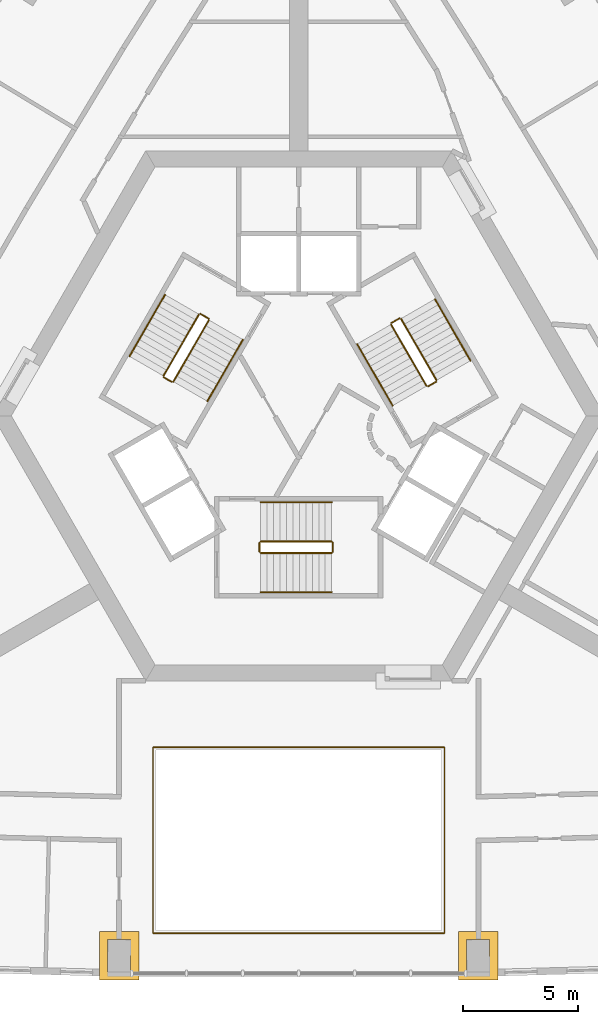
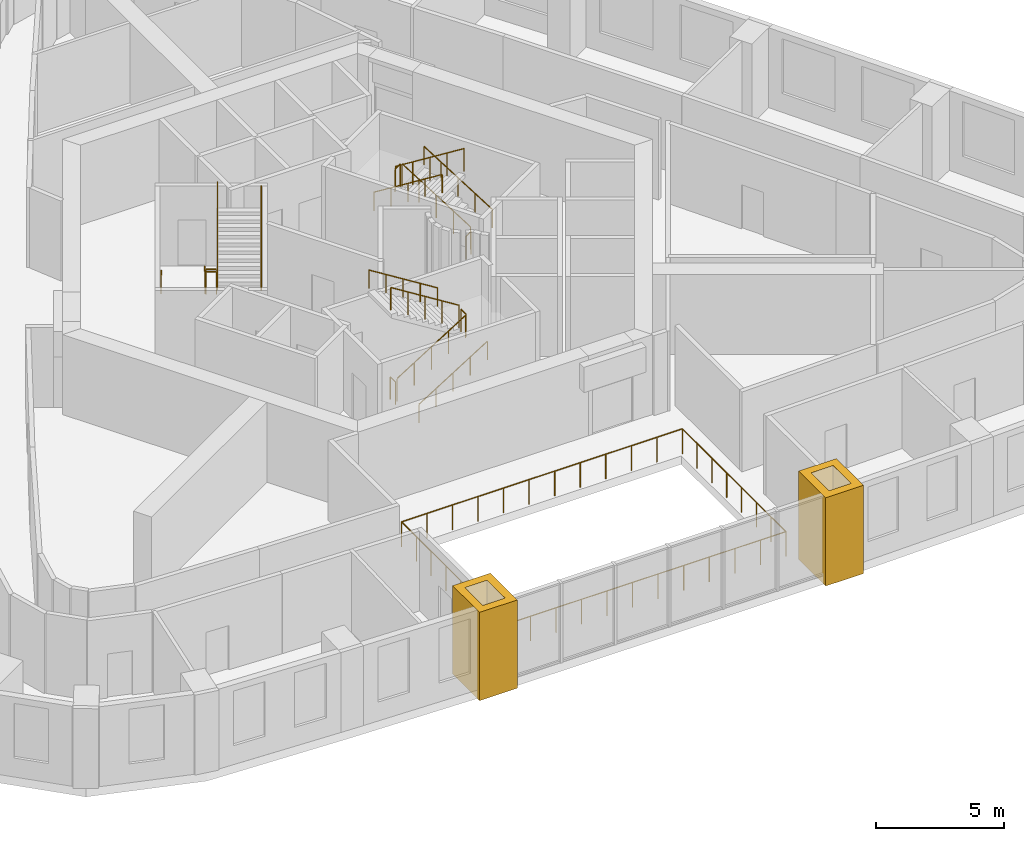
# One storey, part 11 of 11: 19 railings, 2 coverings.
"""IFC4 building model written with IfcOpenShell, lengths in metres."""

from ifc_helpers import new_model, si_unit, direction, frame, origin, origin_2d, place, context, subcontext, project, spatial, polyline, circle, outline, extrude, material, type_object, element, save


model = new_model("IFC4")

# Units and contexts
model_context = context("Model", 3, precision=1e-05, world=origin(), true_north=direction((0.0, 1.0)))
body_context = subcontext(model_context, "Body", "Model", "MODEL_VIEW")
ifc_project = project(units=[si_unit("LENGTHUNIT", "METRE"), si_unit("AREAUNIT", "SQUARE_METRE"), si_unit("VOLUMEUNIT", "CUBIC_METRE"), si_unit("PLANEANGLEUNIT", "RADIAN"), si_unit("MASSUNIT", "GRAM", prefix="KILO")], contexts=[model_context])

# Site, building, storey
site_placement = place(None, origin())
site = spatial("IfcSite", under=ifc_project, at=site_placement, CompositionType="ELEMENT")
building_placement = place(site_placement, origin())
building = spatial("IfcBuilding", under=site, at=building_placement, Name="Entoto Arch Interchange Tower", CompositionType="ELEMENT")
storey_placement = place(building_placement, frame((0.0, 0.0, 194.0)))
storey = spatial("IfcBuildingStorey", under=building, at=storey_placement, Name="L43", CompositionType="ELEMENT", Elevation=194.0)

# Railing
ifc_material_1 = material(Name="Stainless steel 1.4301", Category="steel")
railing_type_1 = type_object("IfcRailingType", Name="ATRIUM GUARD 1200 STEEL AND GLASS", PredefinedType="GUARDRAIL", material=ifc_material_1)
railing_1_placement = place(storey_placement, frame((6.320068359375, -19.947021484375, 0.0)))
element("IfcRailing", 1, at=railing_1_placement, inside=storey, type_object=railing_type_1, Name="Atrium guard L43", PredefinedType="GUARDRAIL", context=body_context, shape_type="SweptSolid", body=[
    extrude(circle(Radius=0.02392578125, at=origin_2d()), frame((0.0, 0.0, 1.17578125), z_axis=(-1.0, 0.0, 0.0), x_axis=(0.0, -1.0, 0.0)), (0.0, 0.0, 1.0), 12.64013671875),
    extrude(circle(Radius=0.02392578125, at=origin_2d()), frame((-12.64013671875, 0.0, 1.17578125), z_axis=(0.0, 1.0, 0.0), x_axis=(-1.0, 0.0, 0.0)), (0.0, 0.0, 1.0), 8.067138671875),
    extrude(circle(Radius=0.02392578125, at=origin_2d()), frame((-12.64013671875, 8.067138671875, 1.17578125), z_axis=(1.0, 0.0, 0.0), x_axis=(0.0, 1.0, 0.0)), (0.0, 0.0, 1.0), 12.64013671875),
    extrude(circle(Radius=0.02392578125, at=origin_2d()), frame((0.0, 8.067138671875, 1.17578125), z_axis=(0.0, -1.0, 0.0), x_axis=(1.0, 0.0, 0.0)), (0.0, 0.0, 1.0), 8.067138671875),
    extrude(circle(Radius=0.02099609375, at=origin_2d()), origin(), (0.0, 0.0, 1.0), 1.15185546875),
    extrude(circle(Radius=0.02099609375, at=origin_2d()), frame((-1.149169921875, 0.0, 0.0)), (0.0, 0.0, 1.0), 1.15185546875),
    extrude(circle(Radius=0.02099609375, at=origin_2d()), frame((-2.298095703125, 0.0, 0.0)), (0.0, 0.0, 1.0), 1.15185546875),
    extrude(circle(Radius=0.02099609375, at=origin_2d()), frame((-3.447265625, 0.0, 0.0)), (0.0, 0.0, 1.0), 1.15185546875),
    extrude(circle(Radius=0.02099609375, at=origin_2d()), frame((-4.596435546875, 0.0, 0.0)), (0.0, 0.0, 1.0), 1.15185546875),
    extrude(circle(Radius=0.02099609375, at=origin_2d()), frame((-5.74560546875, 0.0, 0.0)), (0.0, 0.0, 1.0), 1.15185546875),
    extrude(circle(Radius=0.02099609375, at=origin_2d()), frame((-6.89453125, 0.0, 0.0)), (0.0, 0.0, 1.0), 1.15185546875),
    extrude(circle(Radius=0.02099609375, at=origin_2d()), frame((-8.043701171875, 0.0, 0.0)), (0.0, 0.0, 1.0), 1.15185546875),
    extrude(circle(Radius=0.02099609375, at=origin_2d()), frame((-9.19287109375, 0.0, 0.0)), (0.0, 0.0, 1.0), 1.15185546875),
    extrude(circle(Radius=0.02099609375, at=origin_2d()), frame((-10.342041015625, 0.0, 0.0)), (0.0, 0.0, 1.0), 1.15185546875),
    extrude(circle(Radius=0.02099609375, at=origin_2d()), frame((-11.490966796875, 0.0, 0.0)), (0.0, 0.0, 1.0), 1.15185546875),
    extrude(circle(Radius=0.02099609375, at=origin_2d()), frame((-12.64013671875, 0.0, 0.0)), (0.0, 0.0, 1.0), 1.15185546875),
    extrude(circle(Radius=0.02099609375, at=origin_2d()), frame((-12.64013671875, 1.15234375, 0.0)), (0.0, 0.0, 1.0), 1.15185546875),
    extrude(circle(Radius=0.02099609375, at=origin_2d()), frame((-12.64013671875, 2.304931640625, 0.0)), (0.0, 0.0, 1.0), 1.15185546875),
    extrude(circle(Radius=0.02099609375, at=origin_2d()), frame((-12.64013671875, 3.457275390625, 0.0)), (0.0, 0.0, 1.0), 1.15185546875),
    extrude(circle(Radius=0.02099609375, at=origin_2d()), frame((-12.64013671875, 4.60986328125, 0.0)), (0.0, 0.0, 1.0), 1.15185546875),
    extrude(circle(Radius=0.02099609375, at=origin_2d()), frame((-12.64013671875, 5.76220703125, 0.0)), (0.0, 0.0, 1.0), 1.15185546875),
    extrude(circle(Radius=0.02099609375, at=origin_2d()), frame((-12.64013671875, 6.914794921875, 0.0)), (0.0, 0.0, 1.0), 1.15185546875),
    extrude(circle(Radius=0.02099609375, at=origin_2d()), frame((-12.64013671875, 8.067138671875, 0.0)), (0.0, 0.0, 1.0), 1.15185546875),
    extrude(circle(Radius=0.02099609375, at=origin_2d()), frame((-11.490966796875, 8.067138671875, 0.0)), (0.0, 0.0, 1.0), 1.15185546875),
    extrude(circle(Radius=0.02099609375, at=origin_2d()), frame((-10.342041015625, 8.067138671875, 0.0)), (0.0, 0.0, 1.0), 1.15185546875),
    extrude(circle(Radius=0.02099609375, at=origin_2d()), frame((-9.19287109375, 8.067138671875, 0.0)), (0.0, 0.0, 1.0), 1.15185546875),
    extrude(circle(Radius=0.02099609375, at=origin_2d()), frame((-8.043701171875, 8.067138671875, 0.0)), (0.0, 0.0, 1.0), 1.15185546875),
    extrude(circle(Radius=0.02099609375, at=origin_2d()), frame((-6.89453125, 8.067138671875, 0.0)), (0.0, 0.0, 1.0), 1.15185546875),
    extrude(circle(Radius=0.02099609375, at=origin_2d()), frame((-5.74560546875, 8.067138671875, 0.0)), (0.0, 0.0, 1.0), 1.15185546875),
    extrude(circle(Radius=0.02099609375, at=origin_2d()), frame((-4.596435546875, 8.067138671875, 0.0)), (0.0, 0.0, 1.0), 1.15185546875),
    extrude(circle(Radius=0.02099609375, at=origin_2d()), frame((-3.447265625, 8.067138671875, 0.0)), (0.0, 0.0, 1.0), 1.15185546875),
    extrude(circle(Radius=0.02099609375, at=origin_2d()), frame((-2.298095703125, 8.067138671875, 0.0)), (0.0, 0.0, 1.0), 1.15185546875),
    extrude(circle(Radius=0.02099609375, at=origin_2d()), frame((-1.149169921875, 8.067138671875, 0.0)), (0.0, 0.0, 1.0), 1.15185546875),
    extrude(circle(Radius=0.02099609375, at=origin_2d()), frame((0.0, 8.067138671875, 0.0)), (0.0, 0.0, 1.0), 1.15185546875),
    extrude(circle(Radius=0.02099609375, at=origin_2d()), frame((0.0, 6.914794921875, 0.0)), (0.0, 0.0, 1.0), 1.15185546875),
    extrude(circle(Radius=0.02099609375, at=origin_2d()), frame((0.0, 5.76220703125, 0.0)), (0.0, 0.0, 1.0), 1.15185546875),
    extrude(circle(Radius=0.02099609375, at=origin_2d()), frame((0.0, 4.60986328125, 0.0)), (0.0, 0.0, 1.0), 1.15185546875),
    extrude(circle(Radius=0.02099609375, at=origin_2d()), frame((0.0, 3.457275390625, 0.0)), (0.0, 0.0, 1.0), 1.15185546875),
    extrude(circle(Radius=0.02099609375, at=origin_2d()), frame((0.0, 2.304931640625, 0.0)), (0.0, 0.0, 1.0), 1.15185546875),
    extrude(circle(Radius=0.02099609375, at=origin_2d()), frame((0.0, 1.15234375, 0.0)), (0.0, 0.0, 1.0), 1.15185546875),
])

# Coverings
ifc_material_2 = material(Name="Board-marked precast concrete C50/60", Category="concrete")
covering_type = type_object("IfcCoveringType", Name="PRECAST FRAME COURSE", PredefinedType="CLADDING", material=ifc_material_2)
covering_1_placement = place(storey_placement, frame((0.0, 0.0, -0.39990234375)))
element("IfcCovering", 2, at=covering_1_placement, inside=storey, type_object=covering_type, Name="Gate pier L43", PredefinedType="CLADDING", context=body_context, shape_type="SweptSolid", body=[
    extrude(outline(polyline([(-8.637939453125, -19.876953125), (-6.93798828125, -19.876953125), (-6.93798828125, -21.97705078125), (-8.637939453125, -21.97705078125), (-8.637939453125, -19.876953125)]), holes=[polyline([(-8.2880859375, -20.22705078125), (-8.2880859375, -21.626953125), (-7.2880859375, -21.626953125), (-7.2880859375, -20.22705078125), (-8.2880859375, -20.22705078125)])]), origin(), (0.0, 0.0, 1.0), 4.199951171875),
])
covering_2_placement = place(storey_placement, frame((0.0, 0.0, -0.39990234375)))
element("IfcCovering", 3, at=covering_2_placement, inside=storey, type_object=covering_type, Name="Gate pier L43", PredefinedType="CLADDING", context=body_context, shape_type="SweptSolid", body=[
    extrude(outline(polyline([(6.93798828125, -19.876953125), (8.637939453125, -19.876953125), (8.637939453125, -21.97705078125), (6.93798828125, -21.97705078125), (6.93798828125, -19.876953125)]), holes=[polyline([(7.2880859375, -20.22705078125), (7.2880859375, -21.626953125), (8.2880859375, -21.626953125), (8.2880859375, -20.22705078125), (7.2880859375, -20.22705078125)])]), origin(), (0.0, 0.0, 1.0), 4.199951171875),
])

# Railings
railing_type_2 = type_object("IfcRailingType", Name="STAIR GUARD 1100 STEEL", PredefinedType="GUARDRAIL", material=ifc_material_1)
railing_2_placement = place(storey_placement, frame((-1.64990234375, -3.449951171875, 0.175048828125)))
element("IfcRailing", 4, at=railing_2_placement, inside=storey, type_object=railing_type_2, Name="L43 ST-S stair guard 1", PredefinedType="GUARDRAIL", context=body_context, shape_type="SweptSolid", body=[
    extrude(circle(Radius=0.02392578125, at=origin_2d()), frame((0.0, 0.0, 1.076171875), z_axis=(0.847979421464, 0.0, 0.530029150871), x_axis=(0.0, 1.0, 0.0)), (0.0, 0.0, 1.0), 3.632080078125),
    extrude(circle(Radius=0.02099609375, at=origin_2d()), origin(), (0.0, 0.0, 1.0), 1.052001953125),
    extrude(circle(Radius=0.02099609375, at=origin_2d()), frame((0.77001953125, 0.0, 0.481201171875)), (0.0, 0.0, 1.0), 1.052001953125),
    extrude(circle(Radius=0.02099609375, at=origin_2d()), frame((1.5400390625, 0.0, 0.96240234375)), (0.0, 0.0, 1.0), 1.052001953125),
    extrude(circle(Radius=0.02099609375, at=origin_2d()), frame((2.309814453125, 0.0, 1.44384765625)), (0.0, 0.0, 1.0), 1.052001953125),
    extrude(circle(Radius=0.02099609375, at=origin_2d()), frame((3.079833984375, 0.0, 1.925048828125)), (0.0, 0.0, 1.0), 1.052001953125),
])
railing_3_placement = place(storey_placement, frame((1.47998046875, -3.39990234375, 2.10009765625)))
element("IfcRailing", 5, at=railing_3_placement, inside=storey, type_object=railing_type_2, Name="L43 ST-S stair guard 2", PredefinedType="GUARDRAIL", context=body_context, shape_type="SweptSolid", body=[
    extrude(circle(Radius=0.02392578125, at=origin_2d()), frame((0.0, 0.0, 1.076171875), z_axis=(0.0, 1.0, 0.0), x_axis=(-1.0, 0.0, 0.0)), (0.0, 0.0, 1.0), 0.39990234375),
    extrude(circle(Radius=0.02099609375, at=origin_2d()), origin(), (0.0, 0.0, 1.0), 1.052001953125),
    extrude(circle(Radius=0.02099609375, at=origin_2d()), frame((0.0, 0.39990234375, 0.0)), (0.0, 0.0, 1.0), 1.052001953125),
])
railing_4_placement = place(storey_placement, frame((1.429931640625, -2.949951171875, 2.27490234375)))
element("IfcRailing", 6, at=railing_4_placement, inside=storey, type_object=railing_type_2, Name="L43 ST-S stair guard 3", PredefinedType="GUARDRAIL", context=body_context, shape_type="SweptSolid", body=[
    extrude(circle(Radius=0.02392578125, at=origin_2d()), frame((0.0, 0.0, 1.076171875), z_axis=(-0.847979421464, 0.0, 0.530029150871), x_axis=(0.0, -1.0, 0.0)), (0.0, 0.0, 1.0), 3.632080078125),
    extrude(circle(Radius=0.02099609375, at=origin_2d()), origin(), (0.0, 0.0, 1.0), 1.052001953125),
    extrude(circle(Radius=0.02099609375, at=origin_2d()), frame((-0.77001953125, 0.0, 0.481201171875)), (0.0, 0.0, 1.0), 1.052001953125),
    extrude(circle(Radius=0.02099609375, at=origin_2d()), frame((-1.5400390625, 0.0, 0.96240234375)), (0.0, 0.0, 1.0), 1.052001953125),
    extrude(circle(Radius=0.02099609375, at=origin_2d()), frame((-2.309814453125, 0.0, 1.44384765625)), (0.0, 0.0, 1.0), 1.052001953125),
    extrude(circle(Radius=0.02099609375, at=origin_2d()), frame((-3.079833984375, 0.0, 1.925048828125)), (0.0, 0.0, 1.0), 1.052001953125),
])
railing_5_placement = place(storey_placement, frame((-1.699951171875, -3.39990234375, 0.0)))
element("IfcRailing", 7, at=railing_5_placement, inside=storey, type_object=railing_type_2, Name="L43 ST-S stair guard 4", PredefinedType="GUARDRAIL", context=body_context, shape_type="SweptSolid", body=[
    extrude(circle(Radius=0.02392578125, at=origin_2d()), frame((0.0, 0.0, 1.076171875), z_axis=(0.0, 1.0, 0.0), x_axis=(-1.0, 0.0, 0.0)), (0.0, 0.0, 1.0), 0.39990234375),
    extrude(circle(Radius=0.02099609375, at=origin_2d()), origin(), (0.0, 0.0, 1.0), 1.052001953125),
    extrude(circle(Radius=0.02099609375, at=origin_2d()), frame((0.0, 0.39990234375, 0.0)), (0.0, 0.0, 1.0), 1.052001953125),
])
railing_6_placement = place(storey_placement, frame((5.977783203125, 4.046142578125, 0.175048828125)))
element("IfcRailing", 8, at=railing_6_placement, inside=storey, type_object=railing_type_2, Name="L43 ST-NE stair guard 1", PredefinedType="GUARDRAIL", context=body_context, shape_type="SweptSolid", body=[
    extrude(circle(Radius=0.02392578125, at=origin_2d()), frame((0.0, 0.0, 1.076171875), z_axis=(-0.424015404183, 0.734364028329, 0.530019255228), x_axis=(-0.866010015463, -0.500026652407, 0.0)), (0.0, 0.0, 1.0), 3.632080078125),
    extrude(circle(Radius=0.02099609375, at=origin_2d()), origin(), (0.0, 0.0, 1.0), 1.052001953125),
    extrude(circle(Radius=0.02099609375, at=origin_2d()), frame((-0.385009765625, 0.666748046875, 0.481201171875)), (0.0, 0.0, 1.0), 1.052001953125),
    extrude(circle(Radius=0.02099609375, at=origin_2d()), frame((-0.77001953125, 1.33349609375, 0.96240234375)), (0.0, 0.0, 1.0), 1.052001953125),
    extrude(circle(Radius=0.02099609375, at=origin_2d()), frame((-1.155029296875, 2.00048828125, 1.44384765625)), (0.0, 0.0, 1.0), 1.052001953125),
    extrude(circle(Radius=0.02099609375, at=origin_2d()), frame((-1.5400390625, 2.667236328125, 1.925048828125)), (0.0, 0.0, 1.0), 1.052001953125),
])
railing_7_placement = place(storey_placement, frame((4.36962890625, 6.731689453125, 2.10009765625)))
element("IfcRailing", 9, at=railing_7_placement, inside=storey, type_object=railing_type_2, Name="L43 ST-NE stair guard 2", PredefinedType="GUARDRAIL", context=body_context, shape_type="SweptSolid", body=[
    extrude(circle(Radius=0.02392578125, at=origin_2d()), frame((0.0, 0.0, 1.076171875), z_axis=(-0.866094119867, -0.499880961361, 0.0), x_axis=(0.499880961361, -0.866094119867, 0.0)), (0.0, 0.0, 1.0), 0.39990234375),
    extrude(circle(Radius=0.02099609375, at=origin_2d()), origin(), (0.0, 0.0, 1.0), 1.052001953125),
    extrude(circle(Radius=0.02099609375, at=origin_2d()), frame((-0.346435546875, -0.199951171875, 0.0)), (0.0, 0.0, 1.0), 1.052001953125),
])
railing_8_placement = place(storey_placement, frame((4.0048828125, 6.46337890625, 2.27490234375)))
element("IfcRailing", 10, at=railing_8_placement, inside=storey, type_object=railing_type_2, Name="L43 ST-NE stair guard 3", PredefinedType="GUARDRAIL", context=body_context, shape_type="SweptSolid", body=[
    extrude(circle(Radius=0.02392578125, at=origin_2d()), frame((0.0, 0.0, 1.076171875), z_axis=(0.424015404183, -0.734364028329, 0.530019255228), x_axis=(0.866010015463, 0.500026652407, 0.0)), (0.0, 0.0, 1.0), 3.632080078125),
    extrude(circle(Radius=0.02099609375, at=origin_2d()), origin(), (0.0, 0.0, 1.0), 1.052001953125),
    extrude(circle(Radius=0.02099609375, at=origin_2d()), frame((0.385009765625, -0.666748046875, 0.481201171875)), (0.0, 0.0, 1.0), 1.052001953125),
    extrude(circle(Radius=0.02099609375, at=origin_2d()), frame((0.77001953125, -1.33349609375, 0.96240234375)), (0.0, 0.0, 1.0), 1.052001953125),
    extrude(circle(Radius=0.02099609375, at=origin_2d()), frame((1.155029296875, -2.00048828125, 1.44384765625)), (0.0, 0.0, 1.0), 1.052001953125),
    extrude(circle(Radius=0.02099609375, at=origin_2d()), frame((1.5400390625, -2.667236328125, 1.925048828125)), (0.0, 0.0, 1.0), 1.052001953125),
])
railing_9_placement = place(storey_placement, frame((5.95947265625, 3.977783203125, 0.0)))
element("IfcRailing", 11, at=railing_9_placement, inside=storey, type_object=railing_type_2, Name="L43 ST-NE stair guard 4", PredefinedType="GUARDRAIL", context=body_context, shape_type="SweptSolid", body=[
    extrude(circle(Radius=0.02392578125, at=origin_2d()), frame((0.0, 0.0, 1.076171875), z_axis=(-0.866094119867, -0.499880961361, 0.0), x_axis=(0.499880961361, -0.866094119867, 0.0)), (0.0, 0.0, 1.0), 0.39990234375),
    extrude(circle(Radius=0.02099609375, at=origin_2d()), origin(), (0.0, 0.0, 1.0), 1.052001953125),
    extrude(circle(Radius=0.02099609375, at=origin_2d()), frame((-0.346435546875, -0.199951171875, 0.0)), (0.0, 0.0, 1.0), 1.052001953125),
])
railing_10_placement = place(storey_placement, frame((-4.327880859375, 6.904052734375, 0.175048828125)))
element("IfcRailing", 12, at=railing_10_placement, inside=storey, type_object=railing_type_2, Name="L43 ST-NW stair guard 1", PredefinedType="GUARDRAIL", context=body_context, shape_type="SweptSolid", body=[
    extrude(circle(Radius=0.02392578125, at=origin_2d()), frame((0.0, 0.0, 1.076171875), z_axis=(-0.423994474112, -0.734394994316, 0.52999309264), x_axis=(0.866029832698, -0.499992328818, 0.0)), (0.0, 0.0, 1.0), 3.63232421875),
    extrude(circle(Radius=0.02099609375, at=origin_2d()), origin(), (0.0, 0.0, 1.0), 1.052001953125),
    extrude(circle(Radius=0.02099609375, at=origin_2d()), frame((-0.385009765625, -0.6669921875, 0.481201171875)), (0.0, 0.0, 1.0), 1.052001953125),
    extrude(circle(Radius=0.02099609375, at=origin_2d()), frame((-0.77001953125, -1.333740234375, 0.96240234375)), (0.0, 0.0, 1.0), 1.052001953125),
    extrude(circle(Radius=0.02099609375, at=origin_2d()), frame((-1.155029296875, -2.00048828125, 1.44384765625)), (0.0, 0.0, 1.0), 1.052001953125),
    extrude(circle(Radius=0.02099609375, at=origin_2d()), frame((-1.5400390625, -2.66748046875, 1.925048828125)), (0.0, 0.0, 1.0), 1.052001953125),
])
railing_11_placement = place(storey_placement, frame((-5.849609375, 4.168212890625, 2.10009765625)))
element("IfcRailing", 13, at=railing_11_placement, inside=storey, type_object=railing_type_2, Name="L43 ST-NW stair guard 2", PredefinedType="GUARDRAIL", context=body_context, shape_type="SweptSolid", body=[
    extrude(circle(Radius=0.02392578125, at=origin_2d()), frame((0.0, 0.0, 1.076171875), z_axis=(0.866094119867, -0.499880961361, 0.0), x_axis=(0.499880961361, 0.866094119867, 0.0)), (0.0, 0.0, 1.0), 0.39990234375),
    extrude(circle(Radius=0.02099609375, at=origin_2d()), origin(), (0.0, 0.0, 1.0), 1.052001953125),
    extrude(circle(Radius=0.02099609375, at=origin_2d()), frame((0.346435546875, -0.199951171875, 0.0)), (0.0, 0.0, 1.0), 1.052001953125),
])
railing_12_placement = place(storey_placement, frame((-5.434814453125, 3.986572265625, 2.27490234375)))
element("IfcRailing", 14, at=railing_12_placement, inside=storey, type_object=railing_type_2, Name="L43 ST-NW stair guard 3", PredefinedType="GUARDRAIL", context=body_context, shape_type="SweptSolid", body=[
    extrude(circle(Radius=0.02392578125, at=origin_2d()), frame((0.0, 0.0, 1.076171875), z_axis=(0.423994474112, 0.734394994316, 0.52999309264), x_axis=(-0.866029832698, 0.499992328818, 0.0)), (0.0, 0.0, 1.0), 3.63232421875),
    extrude(circle(Radius=0.02099609375, at=origin_2d()), origin(), (0.0, 0.0, 1.0), 1.052001953125),
    extrude(circle(Radius=0.02099609375, at=origin_2d()), frame((0.385009765625, 0.6669921875, 0.481201171875)), (0.0, 0.0, 1.0), 1.052001953125),
    extrude(circle(Radius=0.02099609375, at=origin_2d()), frame((0.77001953125, 1.333740234375, 0.96240234375)), (0.0, 0.0, 1.0), 1.052001953125),
    extrude(circle(Radius=0.02099609375, at=origin_2d()), frame((1.155029296875, 2.00048828125, 1.44384765625)), (0.0, 0.0, 1.0), 1.052001953125),
    extrude(circle(Radius=0.02099609375, at=origin_2d()), frame((1.5400390625, 2.66748046875, 1.925048828125)), (0.0, 0.0, 1.0), 1.052001953125),
])
railing_13_placement = place(storey_placement, frame((-4.259521484375, 6.92236328125, 0.0)))
element("IfcRailing", 15, at=railing_13_placement, inside=storey, type_object=railing_type_2, Name="L43 ST-NW stair guard 4", PredefinedType="GUARDRAIL", context=body_context, shape_type="SweptSolid", body=[
    extrude(circle(Radius=0.02392578125, at=origin_2d()), frame((0.0, 0.0, 1.076171875), z_axis=(0.865829829939, -0.500338590944, 0.0), x_axis=(0.500338590944, 0.865829829939, 0.0)), (0.0, 0.0, 1.0), 0.400146484375),
    extrude(circle(Radius=0.02099609375, at=origin_2d()), origin(), (0.0, 0.0, 1.0), 1.052001953125),
    extrude(circle(Radius=0.02099609375, at=origin_2d()), frame((0.346435546875, -0.2001953125, 0.0)), (0.0, 0.0, 1.0), 1.052001953125),
])
railing_type_3 = type_object("IfcRailingType", Name="STAIR HANDRAIL 900 STEEL", PredefinedType="HANDRAIL", material=ifc_material_1)
railing_14_placement = place(storey_placement, frame((-1.64990234375, -5.14990234375, 0.175048828125)))
element("IfcRailing", 16, at=railing_14_placement, inside=storey, type_object=railing_type_3, Name="L43 ST-S stair handrail 1", PredefinedType="HANDRAIL", context=body_context, shape_type="SweptSolid", body=[
    extrude(circle(Radius=0.02392578125, at=origin_2d()), frame((0.0, 0.0, 0.8759765625), z_axis=(0.847979421464, 0.0, 0.530029150871), x_axis=(0.0, 1.0, 0.0)), (0.0, 0.0, 1.0), 3.632080078125),
    extrude(circle(Radius=0.02099609375, at=origin_2d()), origin(), (0.0, 0.0, 1.0), 0.851806640625),
    extrude(circle(Radius=0.02099609375, at=origin_2d()), frame((0.77001953125, 0.0, 0.481201171875)), (0.0, 0.0, 1.0), 0.851806640625),
    extrude(circle(Radius=0.02099609375, at=origin_2d()), frame((1.5400390625, 0.0, 0.96240234375)), (0.0, 0.0, 1.0), 0.851806640625),
    extrude(circle(Radius=0.02099609375, at=origin_2d()), frame((2.309814453125, 0.0, 1.44384765625)), (0.0, 0.0, 1.0), 0.851806640625),
    extrude(circle(Radius=0.02099609375, at=origin_2d()), frame((3.079833984375, 0.0, 1.925048828125)), (0.0, 0.0, 1.0), 0.851806640625),
])
railing_15_placement = place(storey_placement, frame((1.429931640625, -1.25, 2.27490234375)))
element("IfcRailing", 17, at=railing_15_placement, inside=storey, type_object=railing_type_3, Name="L43 ST-S stair handrail 2", PredefinedType="HANDRAIL", context=body_context, shape_type="SweptSolid", body=[
    extrude(circle(Radius=0.02392578125, at=origin_2d()), frame((0.0, 0.0, 0.8759765625), z_axis=(-0.847979421464, 0.0, 0.530029150871), x_axis=(0.0, -1.0, 0.0)), (0.0, 0.0, 1.0), 3.632080078125),
    extrude(circle(Radius=0.02099609375, at=origin_2d()), origin(), (0.0, 0.0, 1.0), 0.851806640625),
    extrude(circle(Radius=0.02099609375, at=origin_2d()), frame((-0.77001953125, 0.0, 0.481201171875)), (0.0, 0.0, 1.0), 0.851806640625),
    extrude(circle(Radius=0.02099609375, at=origin_2d()), frame((-1.5400390625, 0.0, 0.96240234375)), (0.0, 0.0, 1.0), 0.851806640625),
    extrude(circle(Radius=0.02099609375, at=origin_2d()), frame((-2.309814453125, 0.0, 1.44384765625)), (0.0, 0.0, 1.0), 0.851806640625),
    extrude(circle(Radius=0.02099609375, at=origin_2d()), frame((-3.079833984375, 0.0, 1.925048828125)), (0.0, 0.0, 1.0), 0.851806640625),
])
railing_16_placement = place(storey_placement, frame((7.4501953125, 4.89599609375, 0.175048828125)))
element("IfcRailing", 18, at=railing_16_placement, inside=storey, type_object=railing_type_3, Name="L43 ST-NE stair handrail 1", PredefinedType="HANDRAIL", context=body_context, shape_type="SweptSolid", body=[
    extrude(circle(Radius=0.02392578125, at=origin_2d()), frame((0.0, 0.0, 0.8759765625), z_axis=(-0.423994474112, 0.734394994316, 0.52999309264), x_axis=(-0.866029832698, -0.499992328818, 0.0)), (0.0, 0.0, 1.0), 3.63232421875),
    extrude(circle(Radius=0.02099609375, at=origin_2d()), origin(), (0.0, 0.0, 1.0), 0.851806640625),
    extrude(circle(Radius=0.02099609375, at=origin_2d()), frame((-0.385009765625, 0.6669921875, 0.481201171875)), (0.0, 0.0, 1.0), 0.851806640625),
    extrude(circle(Radius=0.02099609375, at=origin_2d()), frame((-0.77001953125, 1.333740234375, 0.96240234375)), (0.0, 0.0, 1.0), 0.851806640625),
    extrude(circle(Radius=0.02099609375, at=origin_2d()), frame((-1.155029296875, 2.00048828125, 1.44384765625)), (0.0, 0.0, 1.0), 0.851806640625),
    extrude(circle(Radius=0.02099609375, at=origin_2d()), frame((-1.5400390625, 2.66748046875, 1.925048828125)), (0.0, 0.0, 1.0), 0.851806640625),
])
railing_17_placement = place(storey_placement, frame((2.53271484375, 5.613525390625, 2.27490234375)))
element("IfcRailing", 19, at=railing_17_placement, inside=storey, type_object=railing_type_3, Name="L43 ST-NE stair handrail 2", PredefinedType="HANDRAIL", context=body_context, shape_type="SweptSolid", body=[
    extrude(circle(Radius=0.02392578125, at=origin_2d()), frame((0.0, 0.0, 0.8759765625), z_axis=(0.423939339791, -0.734415923031, 0.53000819633), x_axis=(0.866064153644, 0.499932877268, 0.0)), (0.0, 0.0, 1.0), 3.632080078125),
    extrude(circle(Radius=0.02099609375, at=origin_2d()), origin(), (0.0, 0.0, 1.0), 0.851806640625),
    extrude(circle(Radius=0.02099609375, at=origin_2d()), frame((0.385009765625, -0.6669921875, 0.481201171875)), (0.0, 0.0, 1.0), 0.851806640625),
    extrude(circle(Radius=0.02099609375, at=origin_2d()), frame((0.77001953125, -1.333740234375, 0.96240234375)), (0.0, 0.0, 1.0), 0.851806640625),
    extrude(circle(Radius=0.02099609375, at=origin_2d()), frame((1.15478515625, -2.00048828125, 1.44384765625)), (0.0, 0.0, 1.0), 0.851806640625),
    extrude(circle(Radius=0.02099609375, at=origin_2d()), frame((1.539794921875, -2.66748046875, 1.925048828125)), (0.0, 0.0, 1.0), 0.851806640625),
])
railing_18_placement = place(storey_placement, frame((-5.800048828125, 7.75390625, 0.175048828125)))
element("IfcRailing", 20, at=railing_18_placement, inside=storey, type_object=railing_type_3, Name="L43 ST-NW stair handrail 1", PredefinedType="HANDRAIL", context=body_context, shape_type="SweptSolid", body=[
    extrude(circle(Radius=0.02392578125, at=origin_2d()), frame((0.0, 0.0, 0.8759765625), z_axis=(-0.424015404183, -0.734364028329, 0.530019255228), x_axis=(0.866010015463, -0.500026652407, 0.0)), (0.0, 0.0, 1.0), 3.632080078125),
    extrude(circle(Radius=0.02099609375, at=origin_2d()), origin(), (0.0, 0.0, 1.0), 0.851806640625),
    extrude(circle(Radius=0.02099609375, at=origin_2d()), frame((-0.385009765625, -0.666748046875, 0.481201171875)), (0.0, 0.0, 1.0), 0.851806640625),
    extrude(circle(Radius=0.02099609375, at=origin_2d()), frame((-0.77001953125, -1.33349609375, 0.96240234375)), (0.0, 0.0, 1.0), 0.851806640625),
    extrude(circle(Radius=0.02099609375, at=origin_2d()), frame((-1.155029296875, -2.00048828125, 1.44384765625)), (0.0, 0.0, 1.0), 0.851806640625),
    extrude(circle(Radius=0.02099609375, at=origin_2d()), frame((-1.5400390625, -2.667236328125, 1.925048828125)), (0.0, 0.0, 1.0), 0.851806640625),
])
railing_19_placement = place(storey_placement, frame((-3.962646484375, 3.136474609375, 2.27490234375)))
element("IfcRailing", 21, at=railing_19_placement, inside=storey, type_object=railing_type_3, Name="L43 ST-NW stair handrail 2", PredefinedType="HANDRAIL", context=body_context, shape_type="SweptSolid", body=[
    extrude(circle(Radius=0.02392578125, at=origin_2d()), frame((0.0, 0.0, 0.8759765625), z_axis=(0.423994474112, 0.734394994316, 0.52999309264), x_axis=(-0.866029832698, 0.499992328818, 0.0)), (0.0, 0.0, 1.0), 3.63232421875),
    extrude(circle(Radius=0.02099609375, at=origin_2d()), origin(), (0.0, 0.0, 1.0), 0.851806640625),
    extrude(circle(Radius=0.02099609375, at=origin_2d()), frame((0.385009765625, 0.6669921875, 0.481201171875)), (0.0, 0.0, 1.0), 0.851806640625),
    extrude(circle(Radius=0.02099609375, at=origin_2d()), frame((0.77001953125, 1.333740234375, 0.96240234375)), (0.0, 0.0, 1.0), 0.851806640625),
    extrude(circle(Radius=0.02099609375, at=origin_2d()), frame((1.155029296875, 2.00048828125, 1.44384765625)), (0.0, 0.0, 1.0), 0.851806640625),
    extrude(circle(Radius=0.02099609375, at=origin_2d()), frame((1.5400390625, 2.66748046875, 1.925048828125)), (0.0, 0.0, 1.0), 0.851806640625),
])

save(model, "model.ifc")
